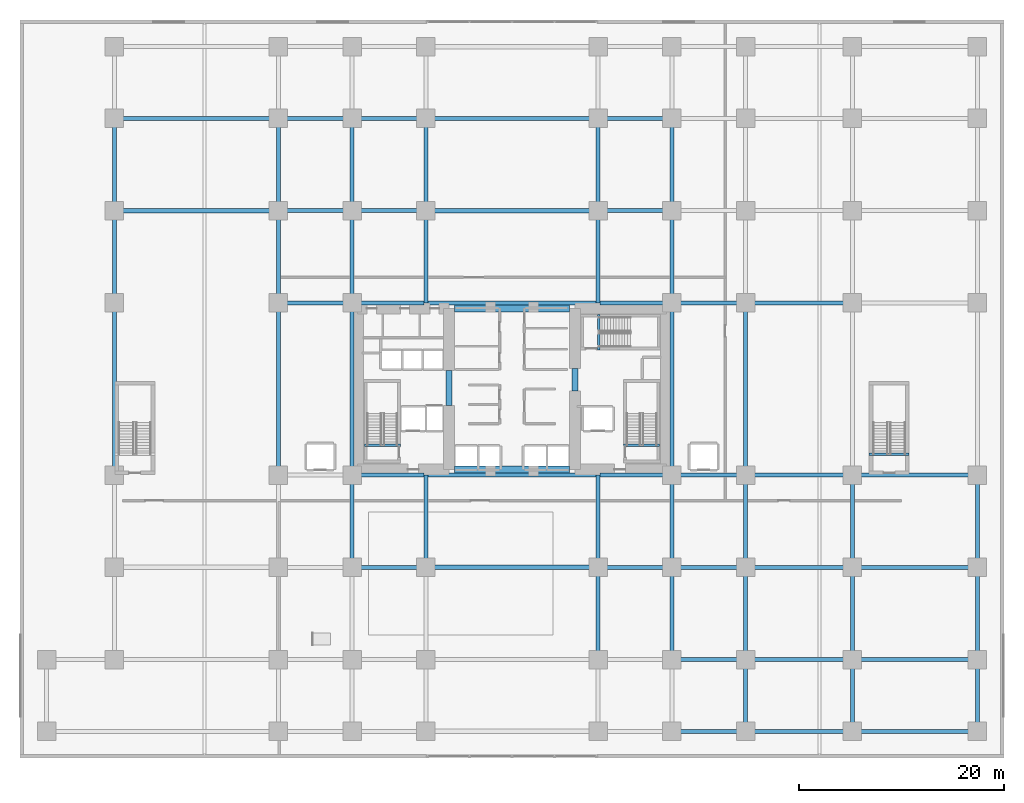
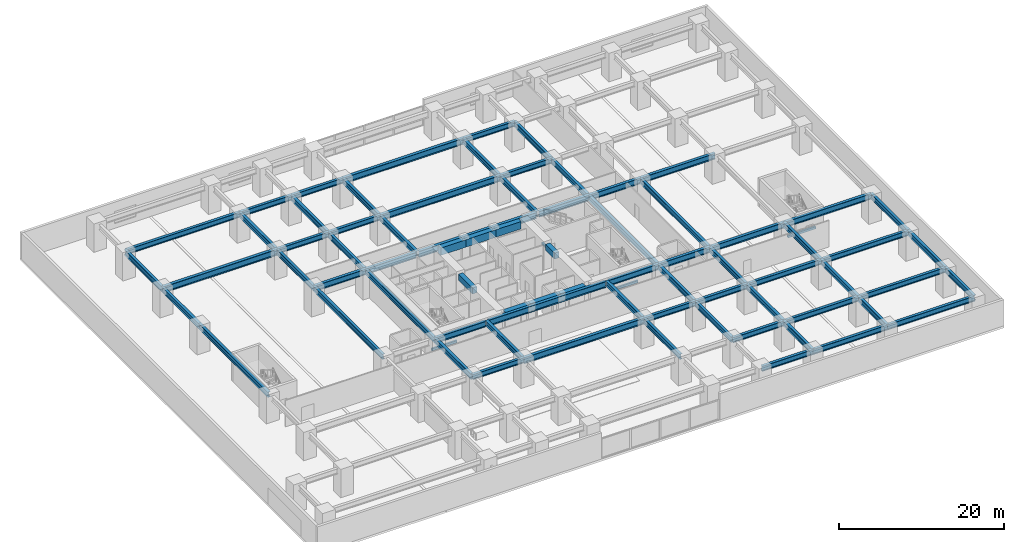
# One storey, part 5 of 22: 78 beams.
"""IFC4 building model written with IfcOpenShell, lengths in metres."""

from ifc_helpers import new_model, si_unit, direction, frame, origin, origin_2d, place, context, subcontext, project, spatial, rectangle, i_section, extrude, material, material_profile, profile_set, type_object, element, save


model = new_model("IFC4")

# Units and contexts
model_context = context("Model", 3, precision=1e-05, world=origin(), true_north=direction((0.0, 1.0)))
body_context = subcontext(model_context, "Body", "Model", "MODEL_VIEW")
ifc_project = project(units=[si_unit("LENGTHUNIT", "METRE"), si_unit("AREAUNIT", "SQUARE_METRE"), si_unit("VOLUMEUNIT", "CUBIC_METRE"), si_unit("PLANEANGLEUNIT", "RADIAN"), si_unit("MASSUNIT", "GRAM", prefix="KILO")], contexts=[model_context])

# Site, building, storey
site_placement = place(None, origin())
site = spatial("IfcSite", under=ifc_project, at=site_placement, CompositionType="ELEMENT")
building_placement = place(site_placement, origin())
building = spatial("IfcBuilding", under=site, at=building_placement, Name="Kiyonajd Concourse Tower", CompositionType="ELEMENT")
storey_placement = place(building_placement, frame((0.0, 0.0, 4.5)))
storey = spatial("IfcBuildingStorey", under=building, at=storey_placement, Name="L02", CompositionType="ELEMENT", Elevation=4.5)

# Beams
ifc_material_1 = material(Name="Steel ASTM A992 Grade 50", Category="steel")
ifc_material_profile_1 = material_profile(ifc_material_1, i_section(OverallWidth=0.423095703125, OverallDepth=0.93310546875, WebThickness=0.02392578125, FlangeThickness=0.042724609375, at=origin_2d()), Name="W920X446")
ifc_profile_set_1 = profile_set([ifc_material_profile_1], Name="Steel ASTM A992 Grade 50")
beam_type_1 = type_object("IfcBeamType", Name="BM-AUD-920A", PredefinedType="BEAM", material=ifc_profile_set_1)
beam_1_placement = place(storey_placement, frame((9.199951171875, 53.39990234375, 3.41357421875), z_axis=(1.0, 0.0, 0.0), x_axis=(0.0, 1.0, 0.0)))
element("IfcBeam", 1, at=beam_1_placement, inside=storey, type_object=beam_type_1, Name="L02 Auditorium Clear Span Girder", PredefinedType="BEAM", context=body_context, shape_type="SweptSolid", body=[
    extrude(i_section(OverallWidth=0.423095703125, OverallDepth=0.93310546875, WebThickness=0.02392578125, FlangeThickness=0.042724609375, at=origin_2d()), origin(), (0.0, 0.0, 1.0), 16.0),
])
ifc_material_profile_2 = material_profile(ifc_material_1, i_section(OverallWidth=0.41796875, OverallDepth=0.912109375, WebThickness=0.019287109375, FlangeThickness=0.031982421875, at=origin_2d()), Name="W920X342")
ifc_profile_set_2 = profile_set([ifc_material_profile_2], Name="Steel ASTM A992 Grade 50")
beam_type_2 = type_object("IfcBeamType", Name="BM-CON-920B", PredefinedType="BEAM", material=ifc_profile_set_2)
beam_2_placement = place(storey_placement, frame((39.60009765625, 18.60009765625, 3.424072265625), z_axis=(1.0, 0.0, 0.0), x_axis=(0.0, 1.0, 0.0)))
element("IfcBeam", 2, at=beam_2_placement, inside=storey, type_object=beam_type_2, Name="L02 Concourse Clear Span Girder", PredefinedType="BEAM", context=body_context, shape_type="SweptSolid", body=[
    extrude(i_section(OverallWidth=0.41796875, OverallDepth=0.912109375, WebThickness=0.019287109375, FlangeThickness=0.031982421875, at=origin_2d()), origin(), (0.0, 0.0, 1.0), 16.7998046875),
])
for number, where, z_axis, x_axis, name in (
    (3, (39.79052734375, 27.60009765625, 3.424072265625), (1.0, 0.0, 0.0), (0.0, 1.0, 0.0), "L02 Concourse Clear Span Girder"),
    (4, (39.79052734375, 44.39990234375, 3.424072265625), (1.0, 0.0, 0.0), (0.0, 1.0, 0.0), "L02 Concourse Clear Span Girder"),
):
    element("IfcBeam", number, at=place(storey_placement, frame(where, z_axis=z_axis, x_axis=x_axis)), inside=storey, type_object=beam_type_2, Name=name, PredefinedType="BEAM", context=body_context, shape_type="SweptSolid", body=[
        extrude(i_section(OverallWidth=0.41796875, OverallDepth=0.912109375, WebThickness=0.019287109375, FlangeThickness=0.031982421875, at=origin_2d()), origin(), (0.0, 0.0, 1.0), 16.4189453125),
    ])
for number, where, z_axis, x_axis, name in (
    (5, (39.60009765625, 53.39990234375, 3.424072265625), (1.0, 0.0, 0.0), (0.0, 1.0, 0.0), "L02 Concourse Clear Span Girder"),
    (6, (39.60009765625, 62.39990234375, 3.424072265625), (1.0, 0.0, 0.0), (0.0, 1.0, 0.0), "L02 Concourse Clear Span Girder"),
):
    element("IfcBeam", number, at=place(storey_placement, frame(where, z_axis=z_axis, x_axis=x_axis)), inside=storey, type_object=beam_type_2, Name=name, PredefinedType="BEAM", context=body_context, shape_type="SweptSolid", body=[
        extrude(i_section(OverallWidth=0.41796875, OverallDepth=0.912109375, WebThickness=0.019287109375, FlangeThickness=0.031982421875, at=origin_2d()), origin(), (0.0, 0.0, 1.0), 16.7998046875),
    ])
ifc_material_2 = material(Name="Concrete C70/85", Category="concrete")
ifc_material_profile_3 = material_profile(ifc_material_2, rectangle(XDim=0.699951171875, YDim=1.10009765625, at=origin_2d()), Name="RCBM-700x1100")
ifc_profile_set_3 = profile_set([ifc_material_profile_3], Name="Concrete C70/85")
beam_type_3 = type_object("IfcBeamType", Name="BM-COUP-1100", PredefinedType="LINTEL", material=ifc_profile_set_3)
beam_3_placement = place(storey_placement, frame((42.39990234375, 28.14990234375, 3.330078125), z_axis=(1.0, 0.0, 0.0), x_axis=(0.0, 1.0, 0.0)))
element("IfcBeam", 7, at=beam_3_placement, inside=storey, type_object=beam_type_3, Name="L02 Core Coupling Beam S1", PredefinedType="LINTEL", context=body_context, shape_type="SweptSolid", body=[
    extrude(rectangle(XDim=0.699951171875, YDim=1.10009765625, at=origin_2d()), origin(), (0.0, 0.0, 1.0), 3.5),
])
beam_4_placement = place(storey_placement, frame((45.89990234375, 28.14990234375, 3.330078125), z_axis=(1.0, 0.0, 0.0), x_axis=(0.0, 1.0, 0.0)))
element("IfcBeam", 8, at=beam_4_placement, inside=storey, type_object=beam_type_3, Name="L02 Core Coupling Beam S2", PredefinedType="LINTEL", context=body_context, shape_type="SweptSolid", body=[
    extrude(rectangle(XDim=0.699951171875, YDim=1.10009765625, at=origin_2d()), origin(), (0.0, 0.0, 1.0), 4.2001953125),
])
for number, where, z_axis, x_axis, name in (
    (9, (50.10009765625, 28.14990234375, 3.330078125), (1.0, 0.0, 0.0), (0.0, 1.0, 0.0), "L02 Core Coupling Beam S3"),
    (10, (42.39990234375, 43.85009765625, 3.330078125), (1.0, 0.0, 0.0), (0.0, 1.0, 0.0), "L02 Core Coupling Beam N1"),
):
    element("IfcBeam", number, at=place(storey_placement, frame(where, z_axis=z_axis, x_axis=x_axis)), inside=storey, type_object=beam_type_3, Name=name, PredefinedType="LINTEL", context=body_context, shape_type="SweptSolid", body=[
        extrude(rectangle(XDim=0.699951171875, YDim=1.10009765625, at=origin_2d()), origin(), (0.0, 0.0, 1.0), 3.5),
    ])
beam_5_placement = place(storey_placement, frame((45.89990234375, 43.85009765625, 3.330078125), z_axis=(1.0, 0.0, 0.0), x_axis=(0.0, 1.0, 0.0)))
element("IfcBeam", 11, at=beam_5_placement, inside=storey, type_object=beam_type_3, Name="L02 Core Coupling Beam N2", PredefinedType="LINTEL", context=body_context, shape_type="SweptSolid", body=[
    extrude(rectangle(XDim=0.699951171875, YDim=1.10009765625, at=origin_2d()), origin(), (0.0, 0.0, 1.0), 4.2001953125),
])
beam_6_placement = place(storey_placement, frame((50.10009765625, 43.85009765625, 3.330078125), z_axis=(1.0, 0.0, 0.0), x_axis=(0.0, 1.0, 0.0)))
element("IfcBeam", 12, at=beam_6_placement, inside=storey, type_object=beam_type_3, Name="L02 Core Coupling Beam N3", PredefinedType="LINTEL", context=body_context, shape_type="SweptSolid", body=[
    extrude(rectangle(XDim=0.699951171875, YDim=1.10009765625, at=origin_2d()), origin(), (0.0, 0.0, 1.0), 3.5),
])
ifc_material_3 = material(Name="Concrete C60/75", Category="concrete")
ifc_material_profile_4 = material_profile(ifc_material_3, rectangle(XDim=0.60009765625, YDim=0.89990234375, at=origin_2d()), Name="RCBM-600x900")
ifc_profile_set_4 = profile_set([ifc_material_profile_4], Name="Concrete C60/75")
beam_type_4 = type_object("IfcBeamType", Name="BM-COUP-900", PredefinedType="LINTEL", material=ifc_profile_set_4)
beam_7_placement = place(storey_placement, frame((41.85009765625, 34.39990234375, 3.330078125), z_axis=(0.0, 1.0, 0.0), x_axis=(-1.0, 0.0, 0.0)))
element("IfcBeam", 13, at=beam_7_placement, inside=storey, type_object=beam_type_4, Name="L02 West Core Throat Coupling Lintel", PredefinedType="LINTEL", context=body_context, shape_type="SweptSolid", body=[
    extrude(rectangle(XDim=0.60009765625, YDim=0.89990234375, at=origin_2d()), origin(), (0.0, 0.0, 1.0), 3.400146484375),
])
beam_8_placement = place(storey_placement, frame((54.14990234375, 35.800048828125, 3.330078125), z_axis=(0.0, 1.0, 0.0), x_axis=(-1.0, 0.0, 0.0)))
element("IfcBeam", 14, at=beam_8_placement, inside=storey, type_object=beam_type_4, Name="L02 East Core Throat Coupling Lintel", PredefinedType="LINTEL", context=body_context, shape_type="SweptSolid", body=[
    extrude(rectangle(XDim=0.60009765625, YDim=0.89990234375, at=origin_2d()), origin(), (0.0, 0.0, 1.0), 2.199951171875),
])
ifc_material_4 = material(Name="Concrete C50/60", Category="concrete")
ifc_material_profile_5 = material_profile(ifc_material_4, rectangle(XDim=0.239990234375, YDim=0.320068359375, at=origin_2d()), Name="RCBM-240x320")
ifc_profile_set_5 = profile_set([ifc_material_profile_5], Name="Concrete C50/60")
beam_type_5 = type_object("IfcBeamType", Name="BM-LNT-250", PredefinedType="LINTEL", material=ifc_profile_set_5)
for number, where, z_axis, x_axis, name in (
    (15, (33.590087890625, 30.530029296875, -0.159912109375), (1.0, 0.0, 0.0), (0.0, 1.0, 0.0), "L02 Stair ST1 Threshold Support Beam"),
    (16, (58.889892578125, 30.530029296875, -0.159912109375), (1.0, 0.0, 0.0), (0.0, 1.0, 0.0), "L02 Stair ST2 Threshold Support Beam"),
):
    element("IfcBeam", number, at=place(storey_placement, frame(where, z_axis=z_axis, x_axis=x_axis)), inside=storey, type_object=beam_type_5, Name=name, PredefinedType="LINTEL", context=body_context, shape_type="SweptSolid", body=[
        extrude(rectangle(XDim=0.239990234375, YDim=0.320068359375, at=origin_2d()), origin(), (0.0, 0.0, 1.0), 3.52001953125),
    ])
beam_9_placement = place(storey_placement, frame((56.4599609375, 39.820068359375, -0.159912109375), z_axis=(0.0, 1.0, 0.0), x_axis=(-1.0, 0.0, 0.0)))
element("IfcBeam", 17, at=beam_9_placement, inside=storey, type_object=beam_type_5, Name="L02 Stair ST3 Threshold Support Beam", PredefinedType="LINTEL", context=body_context, shape_type="SweptSolid", body=[
    extrude(rectangle(XDim=0.239990234375, YDim=0.320068359375, at=origin_2d()), origin(), (0.0, 0.0, 1.0), 3.4599609375),
])
beam_10_placement = place(storey_placement, frame((82.85009765625, 29.6298828125, -0.159912109375), z_axis=(1.0, 0.0, 0.0), x_axis=(0.0, 1.0, 0.0)))
element("IfcBeam", 18, at=beam_10_placement, inside=storey, type_object=beam_type_5, Name="L02 Stair ST5 Threshold Support Beam", PredefinedType="LINTEL", context=body_context, shape_type="SweptSolid", body=[
    extrude(rectangle(XDim=0.239990234375, YDim=0.320068359375, at=origin_2d()), origin(), (0.0, 0.0, 1.0), 3.89990234375),
])
ifc_material_profile_6 = material_profile(ifc_material_1, i_section(OverallWidth=0.381103515625, OverallDepth=0.77294921875, WebThickness=0.0166015625, FlangeThickness=0.027099609375, at=origin_2d()), Name="W760X257")
ifc_profile_set_6 = profile_set([ifc_material_profile_6], Name="Steel ASTM A992 Grade 50")
beam_type_6 = type_object("IfcBeamType", Name="BM-POD-760", PredefinedType="BEAM", material=ifc_profile_set_6)
beam_11_placement = place(storey_placement, frame((63.60009765625, 2.60009765625, 3.493408203125), z_axis=(1.0, 0.0, 0.0), x_axis=(0.0, 1.0, 0.0)))
element("IfcBeam", 19, at=beam_11_placement, inside=storey, type_object=beam_type_6, Name="L02 Podium Primary Beam", PredefinedType="BEAM", context=body_context, shape_type="SweptSolid", body=[
    extrude(i_section(OverallWidth=0.381103515625, OverallDepth=0.77294921875, WebThickness=0.0166015625, FlangeThickness=0.027099609375, at=origin_2d()), origin(), (0.0, 0.0, 1.0), 7.199951171875),
])
beam_12_placement = place(storey_placement, frame((70.800048828125, 2.60009765625, 3.493408203125), z_axis=(1.0, 0.0, 0.0), x_axis=(0.0, 1.0, 0.0)))
element("IfcBeam", 20, at=beam_12_placement, inside=storey, type_object=beam_type_6, Name="L02 Podium Primary Beam", PredefinedType="BEAM", context=body_context, shape_type="SweptSolid", body=[
    extrude(i_section(OverallWidth=0.381103515625, OverallDepth=0.77294921875, WebThickness=0.0166015625, FlangeThickness=0.027099609375, at=origin_2d()), origin(), (0.0, 0.0, 1.0), 10.39990234375),
])
beam_13_placement = place(storey_placement, frame((81.199951171875, 2.60009765625, 3.493408203125), z_axis=(1.0, 0.0, 0.0), x_axis=(0.0, 1.0, 0.0)))
element("IfcBeam", 21, at=beam_13_placement, inside=storey, type_object=beam_type_6, Name="L02 Podium Primary Beam", PredefinedType="BEAM", context=body_context, shape_type="SweptSolid", body=[
    extrude(i_section(OverallWidth=0.381103515625, OverallDepth=0.77294921875, WebThickness=0.0166015625, FlangeThickness=0.027099609375, at=origin_2d()), origin(), (0.0, 0.0, 1.0), 12.199951171875),
])
beam_14_placement = place(storey_placement, frame((63.60009765625, 9.60009765625, 3.493408203125), z_axis=(1.0, 0.0, 0.0), x_axis=(0.0, 1.0, 0.0)))
element("IfcBeam", 22, at=beam_14_placement, inside=storey, type_object=beam_type_6, Name="L02 Podium Primary Beam", PredefinedType="BEAM", context=body_context, shape_type="SweptSolid", body=[
    extrude(i_section(OverallWidth=0.381103515625, OverallDepth=0.77294921875, WebThickness=0.0166015625, FlangeThickness=0.027099609375, at=origin_2d()), origin(), (0.0, 0.0, 1.0), 7.199951171875),
])
beam_15_placement = place(storey_placement, frame((70.800048828125, 9.60009765625, 3.493408203125), z_axis=(1.0, 0.0, 0.0), x_axis=(0.0, 1.0, 0.0)))
element("IfcBeam", 23, at=beam_15_placement, inside=storey, type_object=beam_type_6, Name="L02 Podium Primary Beam", PredefinedType="BEAM", context=body_context, shape_type="SweptSolid", body=[
    extrude(i_section(OverallWidth=0.381103515625, OverallDepth=0.77294921875, WebThickness=0.0166015625, FlangeThickness=0.027099609375, at=origin_2d()), origin(), (0.0, 0.0, 1.0), 10.39990234375),
])
beam_16_placement = place(storey_placement, frame((81.199951171875, 9.60009765625, 3.493408203125), z_axis=(1.0, 0.0, 0.0), x_axis=(0.0, 1.0, 0.0)))
element("IfcBeam", 24, at=beam_16_placement, inside=storey, type_object=beam_type_6, Name="L02 Podium Primary Beam", PredefinedType="BEAM", context=body_context, shape_type="SweptSolid", body=[
    extrude(i_section(OverallWidth=0.381103515625, OverallDepth=0.77294921875, WebThickness=0.0166015625, FlangeThickness=0.027099609375, at=origin_2d()), origin(), (0.0, 0.0, 1.0), 12.199951171875),
])
for number, where, z_axis, x_axis, name in (
    (25, (32.39990234375, 18.60009765625, 3.493408203125), (1.0, 0.0, 0.0), (0.0, 1.0, 0.0), "L02 Podium Primary Beam"),
    (26, (56.39990234375, 18.60009765625, 3.493408203125), (1.0, 0.0, 0.0), (0.0, 1.0, 0.0), "L02 Podium Primary Beam"),
):
    element("IfcBeam", number, at=place(storey_placement, frame(where, z_axis=z_axis, x_axis=x_axis)), inside=storey, type_object=beam_type_6, Name=name, PredefinedType="BEAM", context=body_context, shape_type="SweptSolid", body=[
        extrude(i_section(OverallWidth=0.381103515625, OverallDepth=0.77294921875, WebThickness=0.0166015625, FlangeThickness=0.027099609375, at=origin_2d()), origin(), (0.0, 0.0, 1.0), 7.2001953125),
    ])
beam_17_placement = place(storey_placement, frame((63.60009765625, 18.60009765625, 3.493408203125), z_axis=(1.0, 0.0, 0.0), x_axis=(0.0, 1.0, 0.0)))
element("IfcBeam", 27, at=beam_17_placement, inside=storey, type_object=beam_type_6, Name="L02 Podium Primary Beam", PredefinedType="BEAM", context=body_context, shape_type="SweptSolid", body=[
    extrude(i_section(OverallWidth=0.381103515625, OverallDepth=0.77294921875, WebThickness=0.0166015625, FlangeThickness=0.027099609375, at=origin_2d()), origin(), (0.0, 0.0, 1.0), 7.199951171875),
])
beam_18_placement = place(storey_placement, frame((70.800048828125, 18.60009765625, 3.493408203125), z_axis=(1.0, 0.0, 0.0), x_axis=(0.0, 1.0, 0.0)))
element("IfcBeam", 28, at=beam_18_placement, inside=storey, type_object=beam_type_6, Name="L02 Podium Primary Beam", PredefinedType="BEAM", context=body_context, shape_type="SweptSolid", body=[
    extrude(i_section(OverallWidth=0.381103515625, OverallDepth=0.77294921875, WebThickness=0.0166015625, FlangeThickness=0.027099609375, at=origin_2d()), origin(), (0.0, 0.0, 1.0), 10.39990234375),
])
beam_19_placement = place(storey_placement, frame((81.199951171875, 18.60009765625, 3.493408203125), z_axis=(1.0, 0.0, 0.0), x_axis=(0.0, 1.0, 0.0)))
element("IfcBeam", 29, at=beam_19_placement, inside=storey, type_object=beam_type_6, Name="L02 Podium Primary Beam", PredefinedType="BEAM", context=body_context, shape_type="SweptSolid", body=[
    extrude(i_section(OverallWidth=0.381103515625, OverallDepth=0.77294921875, WebThickness=0.0166015625, FlangeThickness=0.027099609375, at=origin_2d()), origin(), (0.0, 0.0, 1.0), 12.199951171875),
])
beam_20_placement = place(storey_placement, frame((25.199951171875, 53.39990234375, 3.493408203125), z_axis=(1.0, 0.0, 0.0), x_axis=(0.0, 1.0, 0.0)))
element("IfcBeam", 30, at=beam_20_placement, inside=storey, type_object=beam_type_6, Name="L02 Podium Primary Beam", PredefinedType="BEAM", context=body_context, shape_type="SweptSolid", body=[
    extrude(i_section(OverallWidth=0.381103515625, OverallDepth=0.77294921875, WebThickness=0.0166015625, FlangeThickness=0.027099609375, at=origin_2d()), origin(), (0.0, 0.0, 1.0), 7.199951171875),
])
for number, where, z_axis, x_axis, name in (
    (31, (32.39990234375, 53.39990234375, 3.493408203125), (1.0, 0.0, 0.0), (0.0, 1.0, 0.0), "L02 Podium Primary Beam"),
    (32, (56.39990234375, 53.39990234375, 3.493408203125), (1.0, 0.0, 0.0), (0.0, 1.0, 0.0), "L02 Podium Primary Beam"),
):
    element("IfcBeam", number, at=place(storey_placement, frame(where, z_axis=z_axis, x_axis=x_axis)), inside=storey, type_object=beam_type_6, Name=name, PredefinedType="BEAM", context=body_context, shape_type="SweptSolid", body=[
        extrude(i_section(OverallWidth=0.381103515625, OverallDepth=0.77294921875, WebThickness=0.0166015625, FlangeThickness=0.027099609375, at=origin_2d()), origin(), (0.0, 0.0, 1.0), 7.2001953125),
    ])
beam_21_placement = place(storey_placement, frame((9.199951171875, 62.39990234375, 3.493408203125), z_axis=(1.0, 0.0, 0.0), x_axis=(0.0, 1.0, 0.0)))
element("IfcBeam", 33, at=beam_21_placement, inside=storey, type_object=beam_type_6, Name="L02 Podium Primary Beam", PredefinedType="BEAM", context=body_context, shape_type="SweptSolid", body=[
    extrude(i_section(OverallWidth=0.381103515625, OverallDepth=0.77294921875, WebThickness=0.0166015625, FlangeThickness=0.027099609375, at=origin_2d()), origin(), (0.0, 0.0, 1.0), 16.0),
])
beam_22_placement = place(storey_placement, frame((25.199951171875, 62.39990234375, 3.493408203125), z_axis=(1.0, 0.0, 0.0), x_axis=(0.0, 1.0, 0.0)))
element("IfcBeam", 34, at=beam_22_placement, inside=storey, type_object=beam_type_6, Name="L02 Podium Primary Beam", PredefinedType="BEAM", context=body_context, shape_type="SweptSolid", body=[
    extrude(i_section(OverallWidth=0.381103515625, OverallDepth=0.77294921875, WebThickness=0.0166015625, FlangeThickness=0.027099609375, at=origin_2d()), origin(), (0.0, 0.0, 1.0), 7.199951171875),
])
for number, where, z_axis, x_axis, name in (
    (35, (32.39990234375, 62.39990234375, 3.493408203125), (1.0, 0.0, 0.0), (0.0, 1.0, 0.0), "L02 Podium Primary Beam"),
    (36, (56.39990234375, 62.39990234375, 3.493408203125), (1.0, 0.0, 0.0), (0.0, 1.0, 0.0), "L02 Podium Primary Beam"),
):
    element("IfcBeam", number, at=place(storey_placement, frame(where, z_axis=z_axis, x_axis=x_axis)), inside=storey, type_object=beam_type_6, Name=name, PredefinedType="BEAM", context=body_context, shape_type="SweptSolid", body=[
        extrude(i_section(OverallWidth=0.381103515625, OverallDepth=0.77294921875, WebThickness=0.0166015625, FlangeThickness=0.027099609375, at=origin_2d()), origin(), (0.0, 0.0, 1.0), 7.2001953125),
    ])
beam_23_placement = place(storey_placement, frame((9.199951171875, 27.60009765625, 3.493408203125), z_axis=(0.0, 1.0, 0.0), x_axis=(-1.0, 0.0, 0.0)))
element("IfcBeam", 37, at=beam_23_placement, inside=storey, type_object=beam_type_6, Name="L02 Podium North South Beam", PredefinedType="BEAM", context=body_context, shape_type="SweptSolid", body=[
    extrude(i_section(OverallWidth=0.381103515625, OverallDepth=0.77294921875, WebThickness=0.0166015625, FlangeThickness=0.027099609375, at=origin_2d()), origin(), (0.0, 0.0, 1.0), 16.7998046875),
])
for number, where, z_axis, x_axis, name in (
    (38, (9.199951171875, 44.39990234375, 3.493408203125), (0.0, 1.0, 0.0), (-1.0, 0.0, 0.0), "L02 Podium North South Beam"),
    (39, (9.199951171875, 53.39990234375, 3.493408203125), (0.0, 1.0, 0.0), (-1.0, 0.0, 0.0), "L02 Podium North South Beam"),
):
    element("IfcBeam", number, at=place(storey_placement, frame(where, z_axis=z_axis, x_axis=x_axis)), inside=storey, type_object=beam_type_6, Name=name, PredefinedType="BEAM", context=body_context, shape_type="SweptSolid", body=[
        extrude(i_section(OverallWidth=0.381103515625, OverallDepth=0.77294921875, WebThickness=0.0166015625, FlangeThickness=0.027099609375, at=origin_2d()), origin(), (0.0, 0.0, 1.0), 9.0),
    ])
beam_24_placement = place(storey_placement, frame((25.199951171875, 27.60009765625, 3.493408203125), z_axis=(0.0, 1.0, 0.0), x_axis=(-1.0, 0.0, 0.0)))
element("IfcBeam", 40, at=beam_24_placement, inside=storey, type_object=beam_type_6, Name="L02 Podium North South Beam", PredefinedType="BEAM", context=body_context, shape_type="SweptSolid", body=[
    extrude(i_section(OverallWidth=0.381103515625, OverallDepth=0.77294921875, WebThickness=0.0166015625, FlangeThickness=0.027099609375, at=origin_2d()), origin(), (0.0, 0.0, 1.0), 16.7998046875),
])
for number, where, z_axis, x_axis, name in (
    (41, (25.199951171875, 44.39990234375, 3.493408203125), (0.0, 1.0, 0.0), (-1.0, 0.0, 0.0), "L02 Podium North South Beam"),
    (42, (25.199951171875, 53.39990234375, 3.493408203125), (0.0, 1.0, 0.0), (-1.0, 0.0, 0.0), "L02 Podium North South Beam"),
    (43, (32.39990234375, 18.60009765625, 3.493408203125), (0.0, 1.0, 0.0), (-1.0, 0.0, 0.0), "L02 Podium North South Beam"),
):
    element("IfcBeam", number, at=place(storey_placement, frame(where, z_axis=z_axis, x_axis=x_axis)), inside=storey, type_object=beam_type_6, Name=name, PredefinedType="BEAM", context=body_context, shape_type="SweptSolid", body=[
        extrude(i_section(OverallWidth=0.381103515625, OverallDepth=0.77294921875, WebThickness=0.0166015625, FlangeThickness=0.027099609375, at=origin_2d()), origin(), (0.0, 0.0, 1.0), 9.0),
    ])
beam_25_placement = place(storey_placement, frame((32.39990234375, 27.60009765625, 3.493408203125), z_axis=(0.0, 1.0, 0.0), x_axis=(-1.0, 0.0, 0.0)))
element("IfcBeam", 44, at=beam_25_placement, inside=storey, type_object=beam_type_6, Name="L02 Podium North South Beam", PredefinedType="BEAM", context=body_context, shape_type="SweptSolid", body=[
    extrude(i_section(OverallWidth=0.381103515625, OverallDepth=0.77294921875, WebThickness=0.0166015625, FlangeThickness=0.027099609375, at=origin_2d()), origin(), (0.0, 0.0, 1.0), 16.7998046875),
])
for number, where, z_axis, x_axis, name in (
    (45, (32.39990234375, 44.39990234375, 3.493408203125), (0.0, 1.0, 0.0), (-1.0, 0.0, 0.0), "L02 Podium North South Beam"),
    (46, (32.39990234375, 53.39990234375, 3.493408203125), (0.0, 1.0, 0.0), (-1.0, 0.0, 0.0), "L02 Podium North South Beam"),
    (47, (39.60009765625, 18.60009765625, 3.493408203125), (0.0, 1.0, 0.0), (-1.0, 0.0, 0.0), "L02 Podium North South Beam"),
    (48, (39.60009765625, 44.39990234375, 3.493408203125), (0.0, 1.0, 0.0), (-1.0, 0.0, 0.0), "L02 Podium North South Beam"),
    (49, (39.60009765625, 53.39990234375, 3.493408203125), (0.0, 1.0, 0.0), (-1.0, 0.0, 0.0), "L02 Podium North South Beam"),
    (50, (56.39990234375, 9.60009765625, 3.493408203125), (0.0, 1.0, 0.0), (-1.0, 0.0, 0.0), "L02 Podium North South Beam"),
    (51, (56.39990234375, 18.60009765625, 3.493408203125), (0.0, 1.0, 0.0), (-1.0, 0.0, 0.0), "L02 Podium North South Beam"),
    (52, (56.39990234375, 44.39990234375, 3.493408203125), (0.0, 1.0, 0.0), (-1.0, 0.0, 0.0), "L02 Podium North South Beam"),
    (53, (56.39990234375, 53.39990234375, 3.493408203125), (0.0, 1.0, 0.0), (-1.0, 0.0, 0.0), "L02 Podium North South Beam"),
    (54, (63.60009765625, 9.60009765625, 3.493408203125), (0.0, 1.0, 0.0), (-1.0, 0.0, 0.0), "L02 Podium North South Beam"),
    (55, (63.60009765625, 18.60009765625, 3.493408203125), (0.0, 1.0, 0.0), (-1.0, 0.0, 0.0), "L02 Podium North South Beam"),
):
    element("IfcBeam", number, at=place(storey_placement, frame(where, z_axis=z_axis, x_axis=x_axis)), inside=storey, type_object=beam_type_6, Name=name, PredefinedType="BEAM", context=body_context, shape_type="SweptSolid", body=[
        extrude(i_section(OverallWidth=0.381103515625, OverallDepth=0.77294921875, WebThickness=0.0166015625, FlangeThickness=0.027099609375, at=origin_2d()), origin(), (0.0, 0.0, 1.0), 9.0),
    ])
beam_26_placement = place(storey_placement, frame((63.60009765625, 27.60009765625, 3.493408203125), z_axis=(0.0, 1.0, 0.0), x_axis=(-1.0, 0.0, 0.0)))
element("IfcBeam", 56, at=beam_26_placement, inside=storey, type_object=beam_type_6, Name="L02 Podium North South Beam", PredefinedType="BEAM", context=body_context, shape_type="SweptSolid", body=[
    extrude(i_section(OverallWidth=0.381103515625, OverallDepth=0.77294921875, WebThickness=0.0166015625, FlangeThickness=0.027099609375, at=origin_2d()), origin(), (0.0, 0.0, 1.0), 16.7998046875),
])
for number, where, z_axis, x_axis, name in (
    (57, (63.60009765625, 44.39990234375, 3.493408203125), (0.0, 1.0, 0.0), (-1.0, 0.0, 0.0), "L02 Podium North South Beam"),
    (58, (63.60009765625, 53.39990234375, 3.493408203125), (0.0, 1.0, 0.0), (-1.0, 0.0, 0.0), "L02 Podium North South Beam"),
):
    element("IfcBeam", number, at=place(storey_placement, frame(where, z_axis=z_axis, x_axis=x_axis)), inside=storey, type_object=beam_type_6, Name=name, PredefinedType="BEAM", context=body_context, shape_type="SweptSolid", body=[
        extrude(i_section(OverallWidth=0.381103515625, OverallDepth=0.77294921875, WebThickness=0.0166015625, FlangeThickness=0.027099609375, at=origin_2d()), origin(), (0.0, 0.0, 1.0), 9.0),
    ])
beam_27_placement = place(storey_placement, frame((70.800048828125, 2.60009765625, 3.493408203125), z_axis=(0.0, 1.0, 0.0), x_axis=(-1.0, 0.0, 0.0)))
element("IfcBeam", 59, at=beam_27_placement, inside=storey, type_object=beam_type_6, Name="L02 Podium North South Beam", PredefinedType="BEAM", context=body_context, shape_type="SweptSolid", body=[
    extrude(i_section(OverallWidth=0.381103515625, OverallDepth=0.77294921875, WebThickness=0.0166015625, FlangeThickness=0.027099609375, at=origin_2d()), origin(), (0.0, 0.0, 1.0), 7.0),
])
for number, where, z_axis, x_axis, name in (
    (60, (70.800048828125, 9.60009765625, 3.493408203125), (0.0, 1.0, 0.0), (-1.0, 0.0, 0.0), "L02 Podium North South Beam"),
    (61, (70.800048828125, 18.60009765625, 3.493408203125), (0.0, 1.0, 0.0), (-1.0, 0.0, 0.0), "L02 Podium North South Beam"),
):
    element("IfcBeam", number, at=place(storey_placement, frame(where, z_axis=z_axis, x_axis=x_axis)), inside=storey, type_object=beam_type_6, Name=name, PredefinedType="BEAM", context=body_context, shape_type="SweptSolid", body=[
        extrude(i_section(OverallWidth=0.381103515625, OverallDepth=0.77294921875, WebThickness=0.0166015625, FlangeThickness=0.027099609375, at=origin_2d()), origin(), (0.0, 0.0, 1.0), 9.0),
    ])
beam_28_placement = place(storey_placement, frame((70.800048828125, 27.60009765625, 3.493408203125), z_axis=(0.0, 1.0, 0.0), x_axis=(-1.0, 0.0, 0.0)))
element("IfcBeam", 62, at=beam_28_placement, inside=storey, type_object=beam_type_6, Name="L02 Podium North South Beam", PredefinedType="BEAM", context=body_context, shape_type="SweptSolid", body=[
    extrude(i_section(OverallWidth=0.381103515625, OverallDepth=0.77294921875, WebThickness=0.0166015625, FlangeThickness=0.027099609375, at=origin_2d()), origin(), (0.0, 0.0, 1.0), 16.7998046875),
])
beam_29_placement = place(storey_placement, frame((81.199951171875, 2.60009765625, 3.493408203125), z_axis=(0.0, 1.0, 0.0), x_axis=(-1.0, 0.0, 0.0)))
element("IfcBeam", 63, at=beam_29_placement, inside=storey, type_object=beam_type_6, Name="L02 Podium North South Beam", PredefinedType="BEAM", context=body_context, shape_type="SweptSolid", body=[
    extrude(i_section(OverallWidth=0.381103515625, OverallDepth=0.77294921875, WebThickness=0.0166015625, FlangeThickness=0.027099609375, at=origin_2d()), origin(), (0.0, 0.0, 1.0), 7.0),
])
for number, where, z_axis, x_axis, name in (
    (64, (81.199951171875, 9.60009765625, 3.493408203125), (0.0, 1.0, 0.0), (-1.0, 0.0, 0.0), "L02 Podium North South Beam"),
    (65, (81.199951171875, 18.60009765625, 3.493408203125), (0.0, 1.0, 0.0), (-1.0, 0.0, 0.0), "L02 Podium North South Beam"),
):
    element("IfcBeam", number, at=place(storey_placement, frame(where, z_axis=z_axis, x_axis=x_axis)), inside=storey, type_object=beam_type_6, Name=name, PredefinedType="BEAM", context=body_context, shape_type="SweptSolid", body=[
        extrude(i_section(OverallWidth=0.381103515625, OverallDepth=0.77294921875, WebThickness=0.0166015625, FlangeThickness=0.027099609375, at=origin_2d()), origin(), (0.0, 0.0, 1.0), 9.0),
    ])
beam_30_placement = place(storey_placement, frame((93.39990234375, 2.60009765625, 3.493408203125), z_axis=(0.0, 1.0, 0.0), x_axis=(-1.0, 0.0, 0.0)))
element("IfcBeam", 66, at=beam_30_placement, inside=storey, type_object=beam_type_6, Name="L02 Podium North South Beam", PredefinedType="BEAM", context=body_context, shape_type="SweptSolid", body=[
    extrude(i_section(OverallWidth=0.381103515625, OverallDepth=0.77294921875, WebThickness=0.0166015625, FlangeThickness=0.027099609375, at=origin_2d()), origin(), (0.0, 0.0, 1.0), 7.0),
])
for number, where, z_axis, x_axis, name in (
    (67, (93.39990234375, 9.60009765625, 3.493408203125), (0.0, 1.0, 0.0), (-1.0, 0.0, 0.0), "L02 Podium North South Beam"),
    (68, (93.39990234375, 18.60009765625, 3.493408203125), (0.0, 1.0, 0.0), (-1.0, 0.0, 0.0), "L02 Podium North South Beam"),
):
    element("IfcBeam", number, at=place(storey_placement, frame(where, z_axis=z_axis, x_axis=x_axis)), inside=storey, type_object=beam_type_6, Name=name, PredefinedType="BEAM", context=body_context, shape_type="SweptSolid", body=[
        extrude(i_section(OverallWidth=0.381103515625, OverallDepth=0.77294921875, WebThickness=0.0166015625, FlangeThickness=0.027099609375, at=origin_2d()), origin(), (0.0, 0.0, 1.0), 9.0),
    ])
ifc_material_profile_7 = material_profile(ifc_material_1, i_section(OverallWidth=0.39990234375, OverallDepth=0.85498046875, WebThickness=0.018310546875, FlangeThickness=0.029296875, at=origin_2d()), Name="W840X299")
ifc_profile_set_7 = profile_set([ifc_material_profile_7], Name="Steel ASTM A992 Grade 50")
beam_type_7 = type_object("IfcBeamType", Name="BM-POD-840", PredefinedType="BEAM", material=ifc_profile_set_7)
for number, where, z_axis, x_axis, name in (
    (69, (32.39990234375, 27.60009765625, 3.452392578125), (1.0, 0.0, 0.0), (0.0, 1.0, 0.0), "L02 Podium Primary Beam"),
    (70, (56.590576171875, 27.60009765625, 3.452392578125), (1.0, 0.0, 0.0), (0.0, 1.0, 0.0), "L02 Podium Primary Beam"),
):
    element("IfcBeam", number, at=place(storey_placement, frame(where, z_axis=z_axis, x_axis=x_axis)), inside=storey, type_object=beam_type_7, Name=name, PredefinedType="BEAM", context=body_context, shape_type="SweptSolid", body=[
        extrude(i_section(OverallWidth=0.39990234375, OverallDepth=0.85498046875, WebThickness=0.018310546875, FlangeThickness=0.029296875, at=origin_2d()), origin(), (0.0, 0.0, 1.0), 7.009521484375),
    ])
beam_31_placement = place(storey_placement, frame((63.60009765625, 27.60009765625, 3.452392578125), z_axis=(1.0, 0.0, 0.0), x_axis=(0.0, 1.0, 0.0)))
element("IfcBeam", 71, at=beam_31_placement, inside=storey, type_object=beam_type_7, Name="L02 Podium Primary Beam", PredefinedType="BEAM", context=body_context, shape_type="SweptSolid", body=[
    extrude(i_section(OverallWidth=0.39990234375, OverallDepth=0.85498046875, WebThickness=0.018310546875, FlangeThickness=0.029296875, at=origin_2d()), origin(), (0.0, 0.0, 1.0), 7.199951171875),
])
beam_32_placement = place(storey_placement, frame((70.800048828125, 27.60009765625, 3.452392578125), z_axis=(1.0, 0.0, 0.0), x_axis=(0.0, 1.0, 0.0)))
element("IfcBeam", 72, at=beam_32_placement, inside=storey, type_object=beam_type_7, Name="L02 Podium Primary Beam", PredefinedType="BEAM", context=body_context, shape_type="SweptSolid", body=[
    extrude(i_section(OverallWidth=0.39990234375, OverallDepth=0.85498046875, WebThickness=0.018310546875, FlangeThickness=0.029296875, at=origin_2d()), origin(), (0.0, 0.0, 1.0), 10.39990234375),
])
beam_33_placement = place(storey_placement, frame((81.199951171875, 27.60009765625, 3.452392578125), z_axis=(1.0, 0.0, 0.0), x_axis=(0.0, 1.0, 0.0)))
element("IfcBeam", 73, at=beam_33_placement, inside=storey, type_object=beam_type_7, Name="L02 Podium Primary Beam", PredefinedType="BEAM", context=body_context, shape_type="SweptSolid", body=[
    extrude(i_section(OverallWidth=0.39990234375, OverallDepth=0.85498046875, WebThickness=0.018310546875, FlangeThickness=0.029296875, at=origin_2d()), origin(), (0.0, 0.0, 1.0), 12.199951171875),
])
beam_34_placement = place(storey_placement, frame((25.199951171875, 44.39990234375, 3.452392578125), z_axis=(1.0, 0.0, 0.0), x_axis=(0.0, 1.0, 0.0)))
element("IfcBeam", 74, at=beam_34_placement, inside=storey, type_object=beam_type_7, Name="L02 Podium Primary Beam", PredefinedType="BEAM", context=body_context, shape_type="SweptSolid", body=[
    extrude(i_section(OverallWidth=0.39990234375, OverallDepth=0.85498046875, WebThickness=0.018310546875, FlangeThickness=0.029296875, at=origin_2d()), origin(), (0.0, 0.0, 1.0), 7.199951171875),
])
for number, where, z_axis, x_axis, name in (
    (75, (32.39990234375, 44.39990234375, 3.452392578125), (1.0, 0.0, 0.0), (0.0, 1.0, 0.0), "L02 Podium Primary Beam"),
    (76, (56.590576171875, 44.39990234375, 3.452392578125), (1.0, 0.0, 0.0), (0.0, 1.0, 0.0), "L02 Podium Primary Beam"),
):
    element("IfcBeam", number, at=place(storey_placement, frame(where, z_axis=z_axis, x_axis=x_axis)), inside=storey, type_object=beam_type_7, Name=name, PredefinedType="BEAM", context=body_context, shape_type="SweptSolid", body=[
        extrude(i_section(OverallWidth=0.39990234375, OverallDepth=0.85498046875, WebThickness=0.018310546875, FlangeThickness=0.029296875, at=origin_2d()), origin(), (0.0, 0.0, 1.0), 7.009521484375),
    ])
beam_35_placement = place(storey_placement, frame((63.60009765625, 44.39990234375, 3.452392578125), z_axis=(1.0, 0.0, 0.0), x_axis=(0.0, 1.0, 0.0)))
element("IfcBeam", 77, at=beam_35_placement, inside=storey, type_object=beam_type_7, Name="L02 Podium Primary Beam", PredefinedType="BEAM", context=body_context, shape_type="SweptSolid", body=[
    extrude(i_section(OverallWidth=0.39990234375, OverallDepth=0.85498046875, WebThickness=0.018310546875, FlangeThickness=0.029296875, at=origin_2d()), origin(), (0.0, 0.0, 1.0), 7.199951171875),
])
beam_36_placement = place(storey_placement, frame((70.800048828125, 44.39990234375, 3.452392578125), z_axis=(1.0, 0.0, 0.0), x_axis=(0.0, 1.0, 0.0)))
element("IfcBeam", 78, at=beam_36_placement, inside=storey, type_object=beam_type_7, Name="L02 Podium Primary Beam", PredefinedType="BEAM", context=body_context, shape_type="SweptSolid", body=[
    extrude(i_section(OverallWidth=0.39990234375, OverallDepth=0.85498046875, WebThickness=0.018310546875, FlangeThickness=0.029296875, at=origin_2d()), origin(), (0.0, 0.0, 1.0), 10.39990234375),
])

save(model, "model.ifc")
